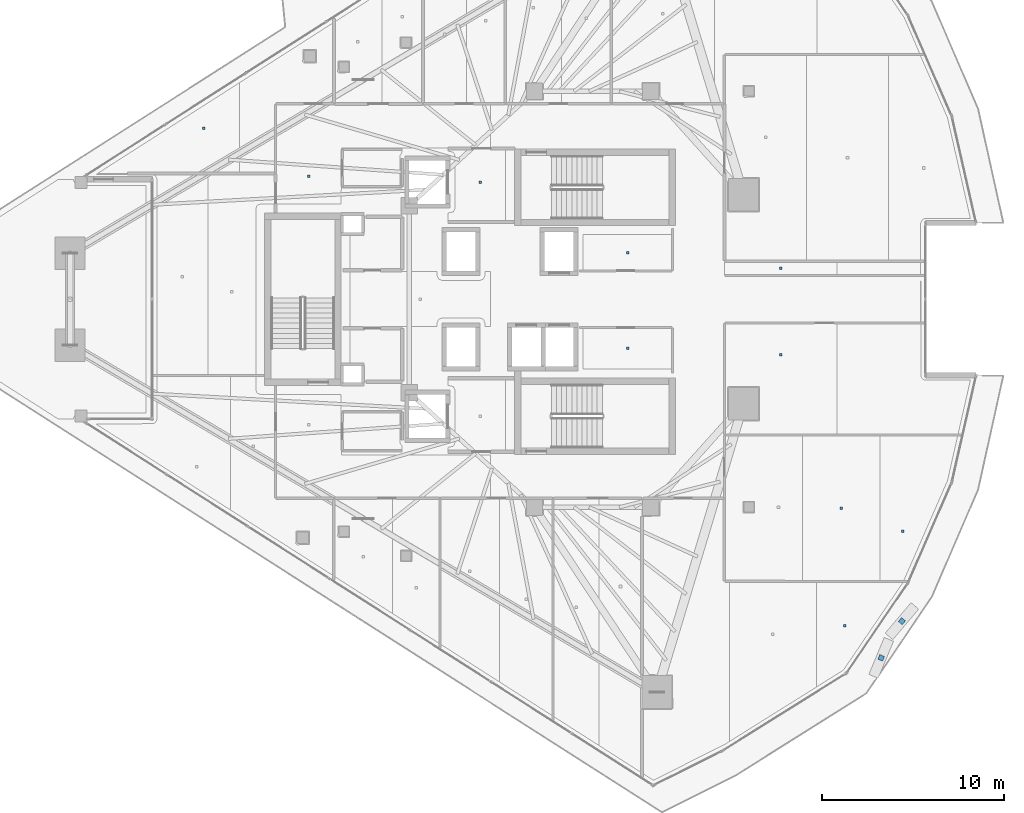
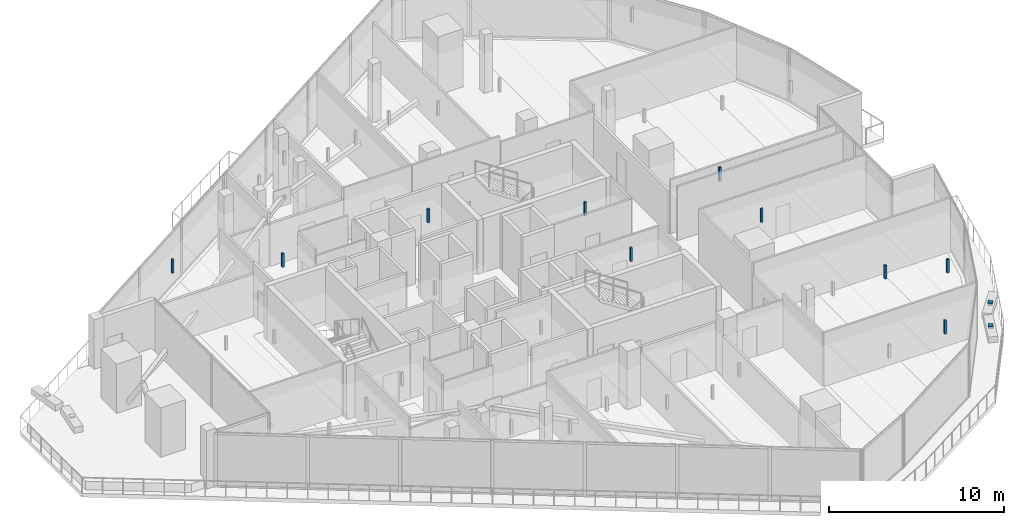
# One storey, part 33 of 40: 12 discrete accessories.
"""IFC4 building model written with IfcOpenShell, lengths in metres."""

from ifc_helpers import new_model, si_unit, direction, frame, origin, origin_2d, place, context, subcontext, project, spatial, rectangle, extrude, material, type_object, element, save


model = new_model("IFC4")

# Units and contexts
model_context = context("Model", 3, precision=1e-05, world=origin(), true_north=direction((0.0, 1.0)))
body_context = subcontext(model_context, "Body", "Model", "MODEL_VIEW")
ifc_project = project(units=[si_unit("LENGTHUNIT", "METRE"), si_unit("AREAUNIT", "SQUARE_METRE"), si_unit("VOLUMEUNIT", "CUBIC_METRE"), si_unit("PLANEANGLEUNIT", "RADIAN"), si_unit("MASSUNIT", "GRAM", prefix="KILO")], contexts=[model_context])

# Site, building, storey
site_placement = place(None, origin())
site = spatial("IfcSite", under=ifc_project, at=site_placement, CompositionType="ELEMENT")
building_placement = place(site_placement, origin())
building = spatial("IfcBuilding", under=site, at=building_placement, Name="Qorvath Tower", CompositionType="ELEMENT")
storey_placement = place(building_placement, frame((0.0, 0.0, 225.300048828125)))
storey = spatial("IfcBuildingStorey", under=building, at=storey_placement, Name="L52", CompositionType="ELEMENT", Elevation=225.300048828125)

# Discrete accessories
ifc_material = material(Name="Galvanised steel bracket", Category="steel")
discrete_accessory_type = type_object("IfcDiscreteAccessoryType", Name="DA-BRACKET", PredefinedType="BRACKET", material=ifc_material)
for number, where, z_axis, x_axis, name in (
    (1, (-4.517578125, -19.74462890625, 3.64013671875), (0.0, 0.0, 1.0), (0.384891425634, 0.92296185754, 0.0), "Louvre Wave Support Bracket L52-03"),
    (2, (-3.37548828125, -17.724365234375, 3.64013671875), (0.0, 0.0, 1.0), (0.647030677663, 0.76246396778, 0.0), "Louvre Wave Support Bracket L52-04"),
):
    element("IfcDiscreteAccessory", number, at=place(storey_placement, frame(where, z_axis=z_axis, x_axis=x_axis)), inside=storey, type_object=discrete_accessory_type, Name=name, PredefinedType="NOTDEFINED", context=body_context, shape_type="SweptSolid", body=[
        extrude(rectangle(XDim=0.280029296875, YDim=0.280029296875, at=origin_2d()), origin(), (0.0, 0.0, 1.0), 0.199951171875),
    ])
for number, where, z_axis, x_axis, name in (
    (3, (-26.590087890625, 6.449951171875, 2.85986328125), (0.0, 0.0, 1.0), (1.0, 0.0, 0.0), "Acoustic Ceiling Suspension Hanger T1-L52-001"),
    (4, (-18.472412109375, 2.5625, 2.85986328125), (0.0, 0.0, 1.0), (1.0, 0.0, 0.0), "Acoustic Ceiling Suspension Hanger T1-L52-003"),
    (5, (-18.472412109375, -2.70751953125, 2.85986328125), (0.0, 0.0, 1.0), (1.0, 0.0, 0.0), "Acoustic Ceiling Suspension Hanger T1-L52-004"),
    (6, (-36.040283203125, 6.782470703125, 2.85986328125), (0.0, 0.0, 1.0), (1.0, 0.0, 0.0), "Acoustic Ceiling Suspension Hanger T1-L52-010"),
    (7, (-6.5107421875, -17.985107421875, 2.85986328125), (0.0, 0.0, 1.0), (1.0, 0.0, 0.0), "Acoustic Ceiling Suspension Hanger T1-L52-029"),
    (8, (-6.71728515625, -11.50439453125, 2.85986328125), (0.0, 0.0, 1.0), (1.0, 0.0, 0.0), "Acoustic Ceiling Suspension Hanger T1-L52-031"),
    (9, (-3.3291015625, -12.76416015625, 2.85986328125), (0.0, 0.0, 1.0), (1.0, 0.0, 0.0), "Acoustic Ceiling Suspension Hanger T1-L52-032"),
    (10, (-10.041748046875, -3.064208984375, 2.85986328125), (0.0, 0.0, 1.0), (1.0, 0.0, 0.0), "Acoustic Ceiling Suspension Hanger T1-L52-033"),
    (11, (-10.041748046875, 1.70166015625, 2.85986328125), (0.0, 0.0, 1.0), (1.0, 0.0, 0.0), "Acoustic Ceiling Suspension Hanger T1-L52-034"),
    (12, (-41.803955078125, 9.41943359375, 2.85986328125), (0.0, 0.0, 1.0), (1.0, 0.0, 0.0), "Acoustic Ceiling Suspension Hanger T1-L52-043"),
):
    element("IfcDiscreteAccessory", number, at=place(storey_placement, frame(where, z_axis=z_axis, x_axis=x_axis)), inside=storey, type_object=discrete_accessory_type, Name=name, PredefinedType="NOTDEFINED", context=body_context, shape_type="SweptSolid", body=[
        extrude(rectangle(XDim=0.139892578125, YDim=0.139892578125, at=origin_2d()), origin(), (0.0, 0.0, 1.0), 0.9501953125),
    ])

save(model, "model.ifc")
